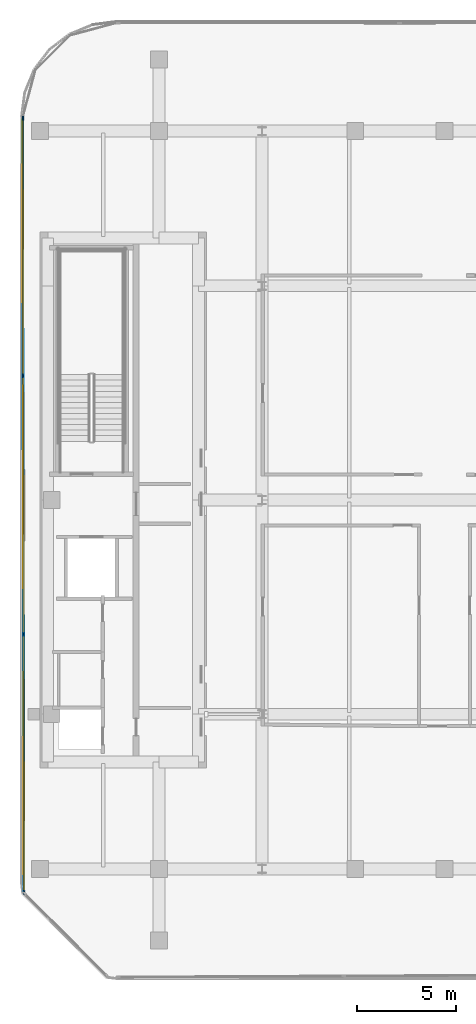
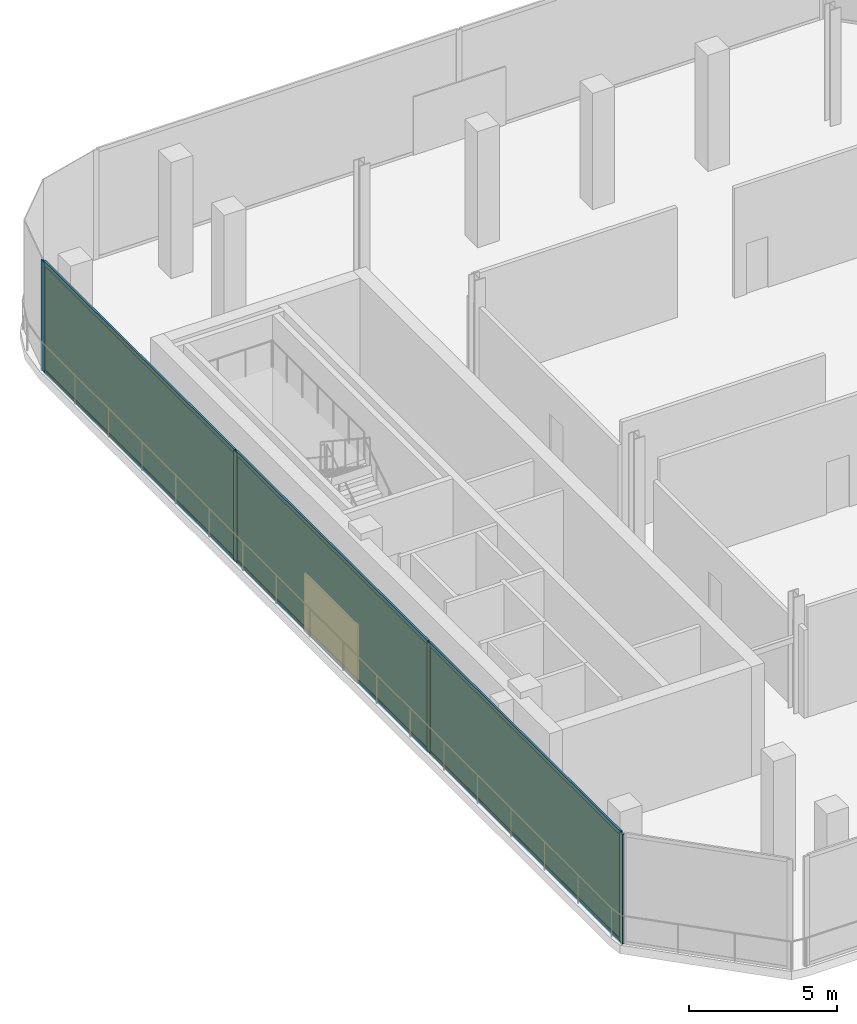
# One storey, part 6 of 13: 10 members, 3 plates, 1 curtain wall.
"""IFC4 building model written with IfcOpenShell, lengths in metres."""

from ifc_helpers import new_model, si_unit, direction, frame, frame_2d, origin, origin_2d, place, context, subcontext, project, spatial, rectangle, extrude, material, layer, layer_set, material_profile, profile_set, type_object, element, aggregate, save


model = new_model("IFC4")

# Units and contexts
model_context = context("Model", 3, precision=1e-05, world=origin(), true_north=direction((0.0, 1.0)))
body_context = subcontext(model_context, "Body", "Model", "MODEL_VIEW")
ifc_project = project(units=[si_unit("LENGTHUNIT", "METRE"), si_unit("AREAUNIT", "SQUARE_METRE"), si_unit("VOLUMEUNIT", "CUBIC_METRE"), si_unit("PLANEANGLEUNIT", "RADIAN"), si_unit("MASSUNIT", "GRAM", prefix="KILO")], contexts=[model_context])

# Member
ifc_material_1 = material(Name="Anodised Bronze Aluminium 6063-T6", Category="aluminium")
ifc_material_profile_1 = material_profile(ifc_material_1, rectangle(XDim=0.074951171875, YDim=0.2099609375, at=origin_2d()))
ifc_profile_set_1 = profile_set([ifc_material_profile_1], Name="Anodised Bronze Aluminium 6063-T6")
member_type_1 = type_object("IfcMemberType", Name="CW-CRN Mullion 75x210", PredefinedType="MULLION", material=ifc_profile_set_1)
site_placement = place(None, origin())
building_placement = place(site_placement, origin())
storey_placement = place(building_placement, frame((0.0, 0.0, 272.800048828125)))
member_1_placement = place(storey_placement, frame((-21.191650390625, -19.77294921875, 0.0), z_axis=(0.0, 0.0, 1.0), x_axis=(-0.999998469966, -0.001749304255, 0.0)))
member_1 = element("IfcMember", 1, at=member_1_placement, type_object=member_type_1, Name="CW-CRN mullion 1", PredefinedType="MULLION", context=body_context, shape_type="SweptSolid", body=[
    extrude(rectangle(XDim=0.074951171875, YDim=0.2099609375, at=origin_2d()), origin(), (0.0, 0.0, 1.0), 4.5400390625),
])

member_2_placement = place(storey_placement, frame((-21.21435546875, -6.776611328125, 0.0), z_axis=(0.0, 0.0, 1.0), x_axis=(-0.999998469966, -0.001749304255, 0.0)))
member_2 = element("IfcMember", 2, at=member_2_placement, type_object=member_type_1, Name="CW-CRN mullion 2", PredefinedType="MULLION", context=body_context, shape_type="SweptSolid", body=[
    extrude(rectangle(XDim=0.074951171875, YDim=0.2099609375, at=origin_2d()), origin(), (0.0, 0.0, 1.0), 4.5400390625),
])

member_3_placement = place(storey_placement, frame((-21.2373046875, 6.257080078125, 0.0), z_axis=(0.0, 0.0, 1.0), x_axis=(-0.999998469966, -0.001749304255, 0.0)))
member_3 = element("IfcMember", 3, at=member_3_placement, type_object=member_type_1, Name="CW-CRN mullion 3", PredefinedType="MULLION", context=body_context, shape_type="SweptSolid", body=[
    extrude(rectangle(XDim=0.074951171875, YDim=0.2099609375, at=origin_2d()), origin(), (0.0, 0.0, 1.0), 4.5400390625),
])

member_4_placement = place(storey_placement, frame((-21.260009765625, 19.25341796875, 0.0), z_axis=(0.0, 0.0, 1.0), x_axis=(-0.999998469966, -0.001749304255, 0.0)))
member_4 = element("IfcMember", 4, at=member_4_placement, type_object=member_type_1, Name="CW-CRN mullion 4", PredefinedType="MULLION", context=body_context, shape_type="SweptSolid", body=[
    extrude(rectangle(XDim=0.074951171875, YDim=0.2099609375, at=origin_2d()), origin(), (0.0, 0.0, 1.0), 4.5400390625),
])

ifc_material_2 = material(Name="Anodised Bronze Aluminium 6063-T6", Category="aluminium")
ifc_material_profile_2 = material_profile(ifc_material_2, rectangle(XDim=0.074951171875, YDim=0.1650390625, at=origin_2d()))
ifc_profile_set_2 = profile_set([ifc_material_profile_2], Name="Anodised Bronze Aluminium 6063-T6")
member_type_2 = type_object("IfcMemberType", Name="CW-CRN Transom 75x165", PredefinedType="USERDEFINED", material=ifc_profile_set_2)
member_5_placement = place(storey_placement, frame((-21.191650390625, -19.7353515625, 0.037353515625), z_axis=(-0.001757200877, 0.999998456121, 0.0), x_axis=(-0.999998456121, -0.001757200877, 0.0)))
member_5 = element("IfcMember", 5, at=member_5_placement, type_object=member_type_2, Name="CW-CRN transom 1.1", ObjectType="TRANSOM", PredefinedType="USERDEFINED", context=body_context, shape_type="SweptSolid", body=[
    extrude(rectangle(XDim=0.074951171875, YDim=0.1650390625, at=origin_2d()), origin(), (0.0, 0.0, 1.0), 12.921142578125),
])

member_6_placement = place(storey_placement, frame((-21.191650390625, -19.7353515625, 4.50244140625), z_axis=(-0.001757200877, 0.999998456121, 0.0), x_axis=(-0.999998456121, -0.001757200877, 0.0)))
member_6 = element("IfcMember", 6, at=member_6_placement, type_object=member_type_2, Name="CW-CRN transom 1.2", ObjectType="TRANSOM", PredefinedType="USERDEFINED", context=body_context, shape_type="SweptSolid", body=[
    extrude(rectangle(XDim=0.074951171875, YDim=0.1650390625, at=origin_2d()), origin(), (0.0, 0.0, 1.0), 12.921142578125),
])

member_7_placement = place(storey_placement, frame((-21.21435546875, -6.7392578125, 0.037353515625), z_axis=(-0.001752102663, 0.999998465067, 0.0), x_axis=(-0.999998465067, -0.001752102663, 0.0)))
member_7 = element("IfcMember", 7, at=member_7_placement, type_object=member_type_2, Name="CW-CRN transom 2.1", ObjectType="TRANSOM", PredefinedType="USERDEFINED", context=body_context, shape_type="SweptSolid", body=[
    extrude(rectangle(XDim=0.074951171875, YDim=0.1650390625, at=origin_2d()), origin(), (0.0, 0.0, 1.0), 12.958740234375),
])

member_8_placement = place(storey_placement, frame((-21.21435546875, -6.7392578125, 4.50244140625), z_axis=(-0.001752102663, 0.999998465067, 0.0), x_axis=(-0.999998465067, -0.001752102663, 0.0)))
member_8 = element("IfcMember", 8, at=member_8_placement, type_object=member_type_2, Name="CW-CRN transom 2.2", ObjectType="TRANSOM", PredefinedType="USERDEFINED", context=body_context, shape_type="SweptSolid", body=[
    extrude(rectangle(XDim=0.074951171875, YDim=0.1650390625, at=origin_2d()), origin(), (0.0, 0.0, 1.0), 12.958740234375),
])

member_9_placement = place(storey_placement, frame((-21.2373046875, 6.294677734375, 0.037353515625), z_axis=(-0.001738306301, 0.999998489144, 0.0), x_axis=(-0.999998489144, -0.001738306301, 0.0)))
member_9 = element("IfcMember", 9, at=member_9_placement, type_object=member_type_2, Name="CW-CRN transom 3.1", ObjectType="TRANSOM", PredefinedType="USERDEFINED", context=body_context, shape_type="SweptSolid", body=[
    extrude(rectangle(XDim=0.074951171875, YDim=0.1650390625, at=origin_2d()), origin(), (0.0, 0.0, 1.0), 12.921142578125),
])

member_10_placement = place(storey_placement, frame((-21.2373046875, 6.294677734375, 4.50244140625), z_axis=(-0.001738306301, 0.999998489144, 0.0), x_axis=(-0.999998489144, -0.001738306301, 0.0)))
member_10 = element("IfcMember", 10, at=member_10_placement, type_object=member_type_2, Name="CW-CRN transom 3.2", ObjectType="TRANSOM", PredefinedType="USERDEFINED", context=body_context, shape_type="SweptSolid", body=[
    extrude(rectangle(XDim=0.074951171875, YDim=0.1650390625, at=origin_2d()), origin(), (0.0, 0.0, 1.0), 12.921142578125),
])

# Plate
ifc_material_3 = material(Name="Low-E Solar Control Laminated Glass", Category="glass")
ifc_layer_1 = layer(ifc_material_3, 0.035888671875, Name="Low-E Solar Control Laminated Glass")
ifc_layer_set_1 = layer_set([ifc_layer_1], Name="Low-E Solar Control Laminated Glass")
plate_type = type_object("IfcPlateType", Name="CW-CRN Low-E Double Glazed Panel 36mm", PredefinedType="CURTAIN_PANEL", material=ifc_layer_set_1)
plate_1_placement = place(storey_placement, frame((-21.203125, -13.27490234375, 0.0751953125), z_axis=(0.0, 0.0, 1.0), x_axis=(-0.001749304255, 0.999998469966, 0.0)))
plate_1 = element("IfcPlate", 11, at=plate_1_placement, type_object=plate_type, Name="CW-CRN panel 1.1", PredefinedType="CURTAIN_PANEL", context=body_context, shape_type="SweptSolid", body=[
    extrude(rectangle(XDim=12.921142578125, YDim=0.035888671875, at=origin_2d()), origin(), (0.0, 0.0, 1.0), 4.389892578125),
])

plate_2_placement = place(storey_placement, frame((-21.225830078125, -0.259765625, 0.0751953125), z_axis=(0.0, 0.0, 1.0), x_axis=(-0.001749304255, 0.999998469966, 0.0)))
plate_2 = element("IfcPlate", 12, at=plate_2_placement, type_object=plate_type, Name="CW-CRN panel 2.1", PredefinedType="CURTAIN_PANEL", context=body_context, shape_type="SweptSolid", body=[
    extrude(rectangle(XDim=12.958740234375, YDim=0.035888671875, at=origin_2d()), origin(), (0.0, 0.0, 1.0), 4.389892578125),
])

plate_3_placement = place(storey_placement, frame((-21.24853515625, 12.755126953125, 0.0751953125), z_axis=(0.0, 0.0, 1.0), x_axis=(-0.001749304255, 0.999998469966, 0.0)))
plate_3 = element("IfcPlate", 13, at=plate_3_placement, type_object=plate_type, Name="CW-CRN panel 3.1", PredefinedType="CURTAIN_PANEL", context=body_context, shape_type="SweptSolid", body=[
    extrude(rectangle(XDim=12.921142578125, YDim=0.035888671875, at=origin_2d()), origin(), (0.0, 0.0, 1.0), 4.389892578125),
])

# Site, building, storey
site = spatial("IfcSite", under=ifc_project, at=site_placement, CompositionType="ELEMENT")
building = spatial("IfcBuilding", under=site, at=building_placement, Name="Khairoan Windgate Tower", CompositionType="ELEMENT")
storey = spatial("IfcBuildingStorey", under=building, at=storey_placement, Name="L65", CompositionType="ELEMENT", Elevation=272.800048828125)

# Curtain wall
ifc_material_4 = material(Name="Anodised Bronze Aluminium 6063-T6", Category="aluminium")
ifc_layer_2 = layer(ifc_material_4, 0.2099609375, Name="Anodised Bronze Aluminium 6063-T6")
ifc_layer_set_2 = layer_set([ifc_layer_2], Name="Anodised Bronze Aluminium 6063-T6")
curtain_wall_type = type_object("IfcCurtainWallType", Name="Crown Observation and Vitrine Curtain Wall CW-CRN", PredefinedType="NOTDEFINED", material=ifc_layer_set_2)
curtain_wall_placement = place(storey_placement, frame((-21.191650390625, -19.810302734375, 0.0), z_axis=(0.0, 0.0, 1.0), x_axis=(-0.001748270908, 0.999998471773, 0.0)))
curtain_wall = element("IfcCurtainWall", 14, at=curtain_wall_placement, inside=storey, type_object=curtain_wall_type, Name="L65 Unitised Curtain Wall 4", PredefinedType="NOTDEFINED", context=body_context, shape_type="SweptSolid", body=[
    extrude(rectangle(XDim=39.10107421875, YDim=0.010009765625, at=frame_2d((19.550537109375, 0.0))), origin(), (0.0, 0.0, 1.0), 4.5400390625),
])

aggregate(curtain_wall, [member_1, member_2, member_3, member_4, member_5, member_6, plate_1, member_7, member_8, plate_2, member_9, member_10, plate_3])

save(model, "model.ifc")
